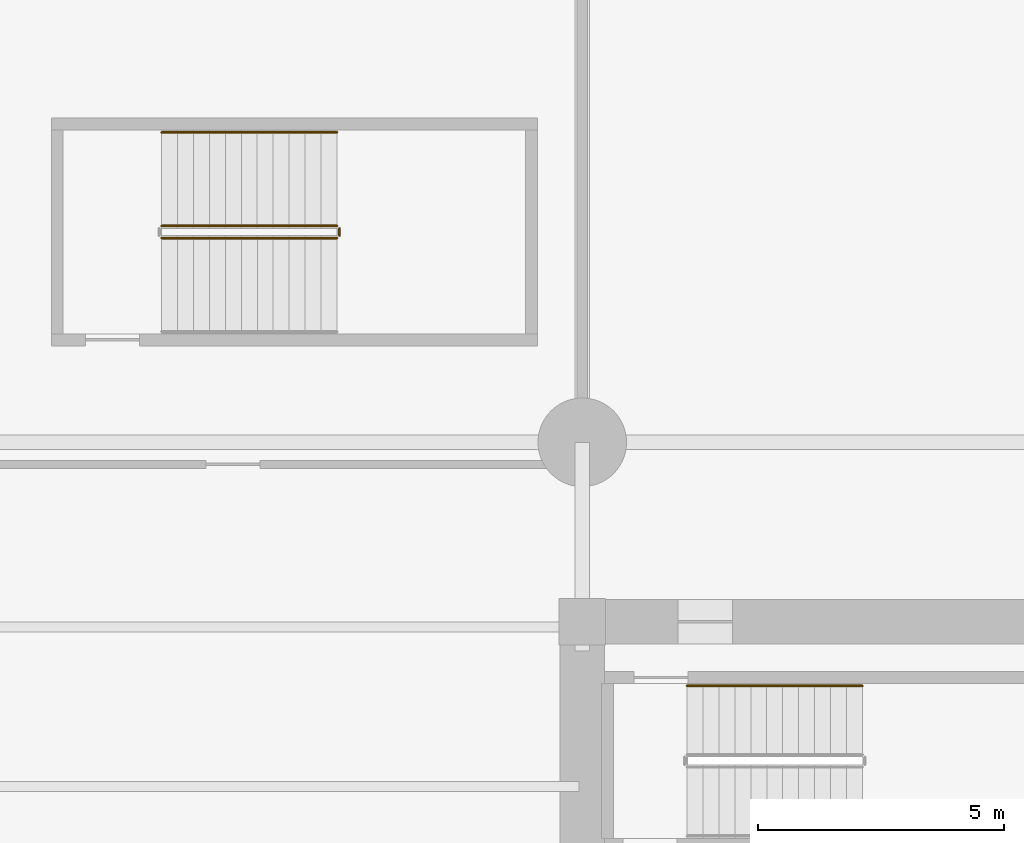
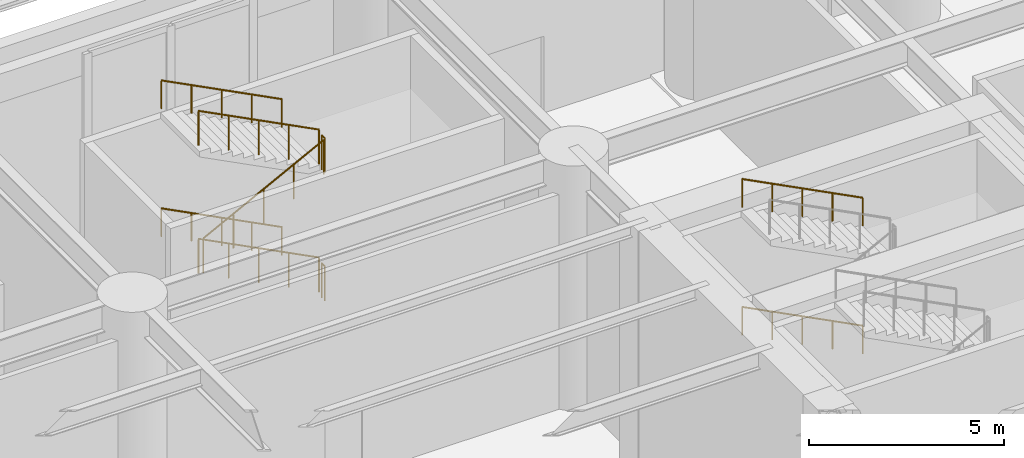
# One storey, part 20 of 25: 9 railings.
"""IFC4 building model written with IfcOpenShell, lengths in metres."""

from ifc_helpers import new_model, si_unit, direction, frame, origin, origin_2d, place, context, subcontext, project, spatial, circle, extrude, material, type_object, element, save


model = new_model("IFC4")

# Units and contexts
model_context = context("Model", 3, precision=1e-05, world=origin(), true_north=direction((0.0, 1.0)))
body_context = subcontext(model_context, "Body", "Model", "MODEL_VIEW")
ifc_project = project(units=[si_unit("LENGTHUNIT", "METRE"), si_unit("AREAUNIT", "SQUARE_METRE"), si_unit("VOLUMEUNIT", "CUBIC_METRE"), si_unit("PLANEANGLEUNIT", "RADIAN"), si_unit("MASSUNIT", "GRAM", prefix="KILO")], contexts=[model_context])

# Site, building, storey
site_placement = place(None, origin())
site = spatial("IfcSite", under=ifc_project, at=site_placement, CompositionType="ELEMENT")
building_placement = place(site_placement, origin())
building = spatial("IfcBuilding", under=site, at=building_placement, Name="Kolvaren Arena Tower", CompositionType="ELEMENT")
storey_placement = place(building_placement, origin())
storey = spatial("IfcBuildingStorey", under=building, at=storey_placement, Name="L00", CompositionType="ELEMENT", Elevation=0.0)

# Railings
ifc_material_1 = material(Name="Painted galvanized steel", Category="steel")
railing_type_1 = type_object("IfcRailingType", Name="GUARD-ST-110", PredefinedType="GUARDRAIL", material=ifc_material_1)
railing_1_placement = place(storey_placement, frame((45.614013671875, 47.199951171875, 2.0)))
element("IfcRailing", 1, at=railing_1_placement, inside=storey, type_object=railing_type_1, Name="L00 ST-A7 stair guard 2", PredefinedType="GUARDRAIL", context=body_context, shape_type="SweptSolid", body=[
    extrude(circle(Radius=0.02392578125, at=origin_2d()), frame((0.0, 0.0, 1.076171875), z_axis=(0.0, 1.0, 0.0), x_axis=(-1.0, 0.0, 0.0)), (0.0, 0.0, 1.0), 0.150146484375),
    extrude(circle(Radius=0.02099609375, at=origin_2d()), origin(), (0.0, 0.0, 1.0), 1.052001953125),
    extrude(circle(Radius=0.02099609375, at=origin_2d()), frame((0.0, 0.150146484375, 0.0)), (0.0, 0.0, 1.0), 1.052001953125),
])
railing_2_placement = place(storey_placement, frame((45.56396484375, 47.39990234375, 2.166748046875)))
element("IfcRailing", 2, at=railing_2_placement, inside=storey, type_object=railing_type_1, Name="L00 ST-A7 stair guard 3", PredefinedType="GUARDRAIL", context=body_context, shape_type="SweptSolid", body=[
    extrude(circle(Radius=0.02392578125, at=origin_2d()), frame((0.0, 0.0, 1.076171875), z_axis=(-0.889251698267, 0.0, 0.45741820813), x_axis=(0.0, -1.0, 0.0)), (0.0, 0.0, 1.0), 4.0078125),
    extrude(circle(Radius=0.02099609375, at=origin_2d()), origin(), (0.0, 0.0, 1.0), 1.052001953125),
    extrude(circle(Radius=0.02099609375, at=origin_2d()), frame((-0.89111328125, 0.0, 0.458251953125)), (0.0, 0.0, 1.0), 1.052001953125),
    extrude(circle(Radius=0.02099609375, at=origin_2d()), frame((-1.781982421875, 0.0, 0.91650390625)), (0.0, 0.0, 1.0), 1.052001953125),
    extrude(circle(Radius=0.02099609375, at=origin_2d()), frame((-2.6728515625, 0.0, 1.375)), (0.0, 0.0, 1.0), 1.052001953125),
    extrude(circle(Radius=0.02099609375, at=origin_2d()), frame((-3.56396484375, 0.0, 1.833251953125)), (0.0, 0.0, 1.0), 1.052001953125),
])
railing_3_placement = place(storey_placement, frame((42.0, 47.14990234375, 4.166748046875)))
element("IfcRailing", 3, at=railing_3_placement, inside=storey, type_object=railing_type_1, Name="L00 ST-A7 stair guard 5", PredefinedType="GUARDRAIL", context=body_context, shape_type="SweptSolid", body=[
    extrude(circle(Radius=0.02392578125, at=origin_2d()), frame((0.0, 0.0, 1.076171875), z_axis=(0.889251698267, 0.0, 0.45741820813), x_axis=(0.0, 1.0, 0.0)), (0.0, 0.0, 1.0), 4.0078125),
    extrude(circle(Radius=0.02099609375, at=origin_2d()), origin(), (0.0, 0.0, 1.0), 1.052001953125),
    extrude(circle(Radius=0.02099609375, at=origin_2d()), frame((0.89111328125, 0.0, 0.458251953125)), (0.0, 0.0, 1.0), 1.052001953125),
    extrude(circle(Radius=0.02099609375, at=origin_2d()), frame((1.781982421875, 0.0, 0.91650390625)), (0.0, 0.0, 1.0), 1.052001953125),
    extrude(circle(Radius=0.02099609375, at=origin_2d()), frame((2.6728515625, 0.0, 1.375)), (0.0, 0.0, 1.0), 1.052001953125),
    extrude(circle(Radius=0.02099609375, at=origin_2d()), frame((3.56396484375, 0.0, 1.833251953125)), (0.0, 0.0, 1.0), 1.052001953125),
])
railing_4_placement = place(storey_placement, frame((45.614013671875, 47.199951171875, 6.0)))
element("IfcRailing", 4, at=railing_4_placement, inside=storey, type_object=railing_type_1, Name="L00 ST-A7 stair guard 6", PredefinedType="GUARDRAIL", context=body_context, shape_type="SweptSolid", body=[
    extrude(circle(Radius=0.02392578125, at=origin_2d()), frame((0.0, 0.0, 1.076171875), z_axis=(0.0, 1.0, 0.0), x_axis=(-1.0, 0.0, 0.0)), (0.0, 0.0, 1.0), 0.150146484375),
    extrude(circle(Radius=0.02099609375, at=origin_2d()), origin(), (0.0, 0.0, 1.0), 1.052001953125),
    extrude(circle(Radius=0.02099609375, at=origin_2d()), frame((0.0, 0.150146484375, 0.0)), (0.0, 0.0, 1.0), 1.052001953125),
])
railing_5_placement = place(storey_placement, frame((45.56396484375, 47.39990234375, 6.166748046875)))
element("IfcRailing", 5, at=railing_5_placement, inside=storey, type_object=railing_type_1, Name="L00 ST-A7 stair guard 7", PredefinedType="GUARDRAIL", context=body_context, shape_type="SweptSolid", body=[
    extrude(circle(Radius=0.02392578125, at=origin_2d()), frame((0.0, 0.0, 1.076171875), z_axis=(-0.889251698267, 0.0, 0.45741820813), x_axis=(0.0, -1.0, 0.0)), (0.0, 0.0, 1.0), 4.0078125),
    extrude(circle(Radius=0.02099609375, at=origin_2d()), origin(), (0.0, 0.0, 1.0), 1.052001953125),
    extrude(circle(Radius=0.02099609375, at=origin_2d()), frame((-0.89111328125, 0.0, 0.458251953125)), (0.0, 0.0, 1.0), 1.052001953125),
    extrude(circle(Radius=0.02099609375, at=origin_2d()), frame((-1.781982421875, 0.0, 0.91650390625)), (0.0, 0.0, 1.0), 1.052001953125),
    extrude(circle(Radius=0.02099609375, at=origin_2d()), frame((-2.6728515625, 0.0, 1.375)), (0.0, 0.0, 1.0), 1.052001953125),
    extrude(circle(Radius=0.02099609375, at=origin_2d()), frame((-3.56396484375, 0.0, 1.833251953125)), (0.0, 0.0, 1.0), 1.052001953125),
])
ifc_material_2 = material(Name="Brushed stainless steel handrail", Category="steel")
railing_type_2 = type_object("IfcRailingType", Name="HRAIL-900", PredefinedType="HANDRAIL", material=ifc_material_2)
for number, where, name in (
    (6, (56.243896484375, 38.050048828125, 2.166748046875), "L00 ST-E2 stair handrail 2"),
    (7, (56.243896484375, 38.050048828125, 6.166748046875), "L00 ST-E2 stair handrail 4"),
    (8, (45.56396484375, 49.300048828125, 2.166748046875), "L00 ST-A7 stair handrail 2"),
    (9, (45.56396484375, 49.300048828125, 6.166748046875), "L00 ST-A7 stair handrail 4"),
):
    element("IfcRailing", number, at=place(storey_placement, frame(where)), inside=storey, type_object=railing_type_2, Name=name, PredefinedType="HANDRAIL", context=body_context, shape_type="SweptSolid", body=[
        extrude(circle(Radius=0.02392578125, at=origin_2d()), frame((0.0, 0.0, 0.8759765625), z_axis=(-0.889251698267, 0.0, 0.45741820813), x_axis=(0.0, -1.0, 0.0)), (0.0, 0.0, 1.0), 4.0078125),
        extrude(circle(Radius=0.02099609375, at=origin_2d()), origin(), (0.0, 0.0, 1.0), 0.851806640625),
        extrude(circle(Radius=0.02099609375, at=origin_2d()), frame((-0.89111328125, 0.0, 0.458251953125)), (0.0, 0.0, 1.0), 0.851806640625),
        extrude(circle(Radius=0.02099609375, at=origin_2d()), frame((-1.781982421875, 0.0, 0.91650390625)), (0.0, 0.0, 1.0), 0.851806640625),
        extrude(circle(Radius=0.02099609375, at=origin_2d()), frame((-2.6728515625, 0.0, 1.375)), (0.0, 0.0, 1.0), 0.851806640625),
        extrude(circle(Radius=0.02099609375, at=origin_2d()), frame((-3.56396484375, 0.0, 1.833251953125)), (0.0, 0.0, 1.0), 0.851806640625),
    ])

save(model, "model.ifc")
